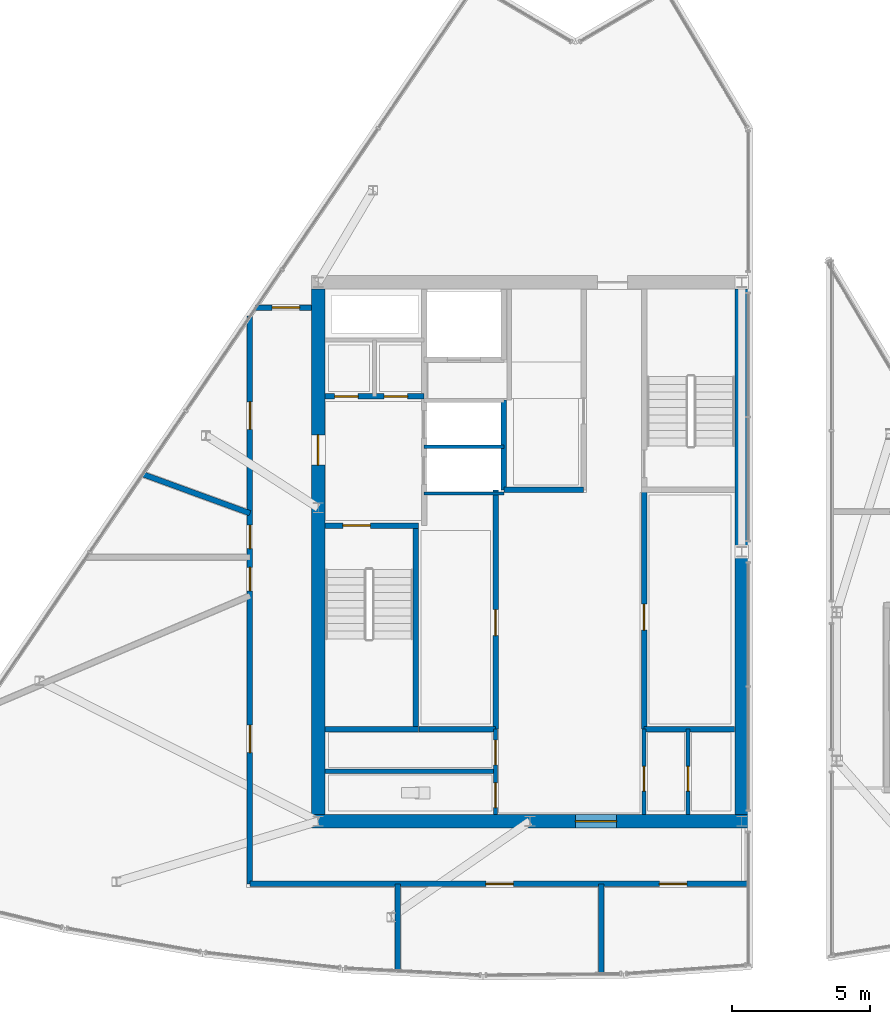
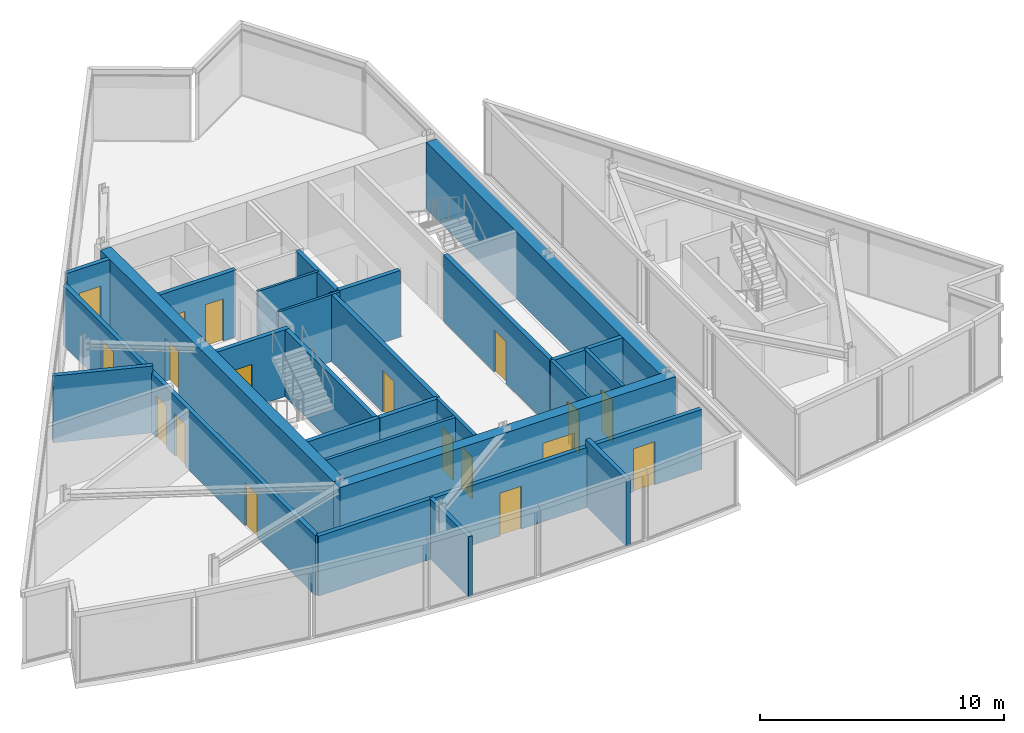
# One storey, part 9 of 15: 25 walls, 18 doors, 18 openings.
"""IFC4 building model written with IfcOpenShell, lengths in metres."""

from ifc_helpers import new_model, si_unit, direction, frame, frame_2d, origin, place, context, subcontext, project, spatial, rectangle, extrude, material, layer, layer_set, type_object, element, fill, save


model = new_model("IFC4")

# Units and contexts
model_context = context("Model", 3, precision=1e-05, world=origin(), true_north=direction((0.0, 1.0)))
body_context = subcontext(model_context, "Body", "Model", "MODEL_VIEW")
ifc_project = project(units=[si_unit("LENGTHUNIT", "METRE"), si_unit("AREAUNIT", "SQUARE_METRE"), si_unit("VOLUMEUNIT", "CUBIC_METRE"), si_unit("PLANEANGLEUNIT", "RADIAN"), si_unit("MASSUNIT", "GRAM", prefix="KILO")], contexts=[model_context])

# Site, building, storey
site_placement = place(None, origin())
site = spatial("IfcSite", under=ifc_project, at=site_placement, CompositionType="ELEMENT")
building_placement = place(site_placement, origin())
building = spatial("IfcBuilding", under=site, at=building_placement, Name="Savorim Split Tower", CompositionType="ELEMENT")
storey_placement = place(building_placement, frame((0.0, 0.0, 304.800048828125)))
storey = spatial("IfcBuildingStorey", under=building, at=storey_placement, Name="Crown L81 Plant", CompositionType="ELEMENT", Elevation=304.800048828125)

# Wall, opening, door
ifc_material_1 = material(Name="Concrete C60/75", Category="concrete")
ifc_layer_1 = layer(ifc_material_1, 0.5)
ifc_layer_set_1 = layer_set([ifc_layer_1], Name="WAL-COR-SH500")
wall_type_1 = type_object("IfcWallType", Name="WAL-COR-SH500", PredefinedType="SHEAR", material=ifc_layer_set_1)
wall_1_placement = place(storey_placement, frame((-7.949951171875, -9.39990234375, 0.0), z_axis=(0.0, 0.0, 1.0), x_axis=(1.0, 0.0, 0.0)))
wall_1 = element("IfcWall", 1, at=wall_1_placement, inside=storey, type_object=wall_type_1, Name="Crown L81 Plant Offset Core South Shear Wall", PredefinedType="SHEAR", context=body_context, shape_type="SweptSolid", body=[
    extrude(rectangle(XDim=15.89990234375, YDim=0.5, at=frame_2d((7.949951171875, 0.0))), origin(), (0.0, 0.0, 1.0), 3.33984375),
])
opening_1_placement = place(wall_1_placement, frame((9.60009765625, 0.0, 0.0)))
opening_1 = element("IfcOpeningElement", 2, at=opening_1_placement, cuts=wall_1, Name="Opening DI-02", PredefinedType="OPENING", context=body_context, shape_type="SweptSolid", body=[
    extrude(rectangle(XDim=1.5, YDim=2.199951171875, at=frame_2d((0.75, 1.10009765625))), frame((0.0, 0.260009765625, 0.0), z_axis=(0.0, -1.0, 0.0), x_axis=(1.0, 0.0, 0.0)), (0.0, 0.0, 1.0), 0.52001953125),
])
ifc_material_2 = material(Name="Timber Fire Door Leaf", Category="wood")
door_type_1 = type_object("IfcDoorType", Name="DOR-DBL-1500", OperationType="NOTDEFINED", PredefinedType="DOOR", material=ifc_material_2)
door_1_placement = place(opening_1_placement, origin())
door_1 = element("IfcDoor", 3, at=door_1_placement, inside=storey, type_object=door_type_1, Name="DOR-Crown-L81-Plant-COR-LLOB - Crown L81 Plant Lift Lobby Main Rated Door", OperationType="DOUBLE_DOOR_SINGLE_SWING", OverallHeight=2.199951171875, OverallWidth=1.5, PredefinedType="DOOR", context=body_context, shape_type="SweptSolid", body=[
    extrude(rectangle(XDim=1.5, YDim=2.199951171875, at=frame_2d((0.75, 1.10009765625))), frame((0.0, 0.02490234375, 0.0), z_axis=(0.0, -1.0, 0.0), x_axis=(1.0, 0.0, 0.0)), (0.0, 0.0, 1.0), 0.050048828125),
])
fill(opening_1, door_1)

wall_2_placement = place(storey_placement, frame((-7.699951171875, -9.14990234375, 0.0), z_axis=(0.0, 0.0, 1.0), x_axis=(0.0, 1.0, 0.0)))
wall_2 = element("IfcWall", 4, at=wall_2_placement, inside=storey, type_object=wall_type_1, Name="Crown L81 Plant Offset Core West Shear Wall", PredefinedType="SHEAR", context=body_context, shape_type="SweptSolid", body=[
    extrude(rectangle(XDim=19.099853515625, YDim=0.5, at=frame_2d((9.5498046875, 0.0))), origin(), (0.0, 0.0, 1.0), 3.33984375),
])
opening_2_placement = place(wall_2_placement, frame((12.699951171875, 0.0, 0.0)))
opening_2 = element("IfcOpeningElement", 5, at=opening_2_placement, cuts=wall_2, Name="Opening DI-03", PredefinedType="OPENING", context=body_context, shape_type="SweptSolid", body=[
    extrude(rectangle(XDim=1.10009765625, YDim=2.14990234375, at=frame_2d((0.550048828125, 1.074951171875))), frame((0.0, 0.260009765625, 0.0), z_axis=(0.0, -1.0, 0.0), x_axis=(1.0, 0.0, 0.0)), (0.0, 0.0, 1.0), 0.52001953125),
])
door_type_2 = type_object("IfcDoorType", Name="DOR-FIR-1100", OperationType="NOTDEFINED", PredefinedType="DOOR", material=ifc_material_2)
door_2_placement = place(opening_2_placement, origin())
door_2 = element("IfcDoor", 6, at=door_2_placement, inside=storey, type_object=door_type_2, Name="DOR-Crown-L81-Plant-COR-FFLOB - Crown L81 Plant Firefighting Lobby Corridor Door", OperationType="SINGLE_SWING_LEFT", OverallHeight=2.14990234375, OverallWidth=1.10009765625, PredefinedType="DOOR", context=body_context, shape_type="SweptSolid", body=[
    extrude(rectangle(XDim=1.10009765625, YDim=2.14990234375, at=frame_2d((0.550048828125, 1.074951171875))), frame((0.0, 0.02490234375, 0.0), z_axis=(0.0, -1.0, 0.0), x_axis=(1.0, 0.0, 0.0)), (0.0, 0.0, 1.0), 0.050048828125),
])
fill(opening_2, door_2)

# Wall
wall_3_placement = place(storey_placement, frame((7.699951171875, 9.949951171875, 0.0), z_axis=(0.0, 0.0, 1.0), x_axis=(0.0, -1.0, 0.0)))
element("IfcWall", 7, at=wall_3_placement, inside=storey, type_object=wall_type_1, Name="Crown L81 Plant Offset Core East Shear Wall", PredefinedType="SHEAR", context=body_context, shape_type="SweptSolid", body=[
    extrude(rectangle(XDim=19.099853515625, YDim=0.5, at=frame_2d((9.5498046875, 0.0))), origin(), (0.0, 0.0, 1.0), 3.33984375),
])

# Wall, opening, door
ifc_material_3 = material(Name="Concrete C50/60", Category="concrete")
ifc_layer_2 = layer(ifc_material_3, 0.199951171875)
ifc_layer_set_2 = layer_set([ifc_layer_2], Name="WAL-INT-RC200")
wall_type_2 = type_object("IfcWallType", Name="WAL-INT-RC200", PredefinedType="SOLIDWALL", material=ifc_layer_set_2)
wall_4_placement = place(storey_placement, frame((-7.449951171875, 1.35009765625, 0.0), z_axis=(0.0, 0.0, 1.0), x_axis=(1.0, 0.0, 0.0)))
wall_4 = element("IfcWall", 8, at=wall_4_placement, inside=storey, type_object=wall_type_2, Name="Crown L81 Plant Structural Shaft Wall W-Crown-L81-Plant-CR01", PredefinedType="SOLIDWALL", context=body_context, shape_type="SweptSolid", body=[
    extrude(rectangle(XDim=3.39990234375, YDim=0.199951171875, at=frame_2d((1.699951171875, 0.0))), origin(), (0.0, 0.0, 1.0), 3.33984375),
])
opening_3_placement = place(wall_4_placement, frame((0.64990234375, 0.0, 0.0)))
opening_3 = element("IfcOpeningElement", 9, at=opening_3_placement, cuts=wall_4, Name="Opening DI-04", PredefinedType="OPENING", context=body_context, shape_type="SweptSolid", body=[
    extrude(rectangle(XDim=1.0, YDim=2.14990234375, at=frame_2d((0.5, 1.074951171875))), frame((0.0, 0.10986328125, 0.0), z_axis=(0.0, -1.0, 0.0), x_axis=(1.0, 0.0, 0.0)), (0.0, 0.0, 1.0), 0.219970703125),
])
door_type_3 = type_object("IfcDoorType", Name="DOR-FIR-1000", OperationType="NOTDEFINED", PredefinedType="DOOR", material=ifc_material_2)
door_3_placement = place(opening_3_placement, origin())
door_3 = element("IfcDoor", 10, at=door_3_placement, inside=storey, type_object=door_type_3, Name="DR-Crown-L81-Plant-ST1 - Crown L81 Plant Stair ST-1 Enclosure Door", OperationType="SINGLE_SWING_LEFT", OverallHeight=2.14990234375, OverallWidth=1.0, PredefinedType="DOOR", context=body_context, shape_type="SweptSolid", body=[
    extrude(rectangle(XDim=1.0, YDim=2.14990234375, at=frame_2d((0.5, 1.074951171875))), frame((0.0, 0.02490234375, 0.0), z_axis=(0.0, -1.0, 0.0), x_axis=(1.0, 0.0, 0.0)), (0.0, 0.0, 1.0), 0.050048828125),
])
fill(opening_3, door_3)

# Wall
wall_5_placement = place(storey_placement, frame((-4.14990234375, -5.949951171875, 0.0), z_axis=(0.0, 0.0, 1.0), x_axis=(0.0, 1.0, 0.0)))
element("IfcWall", 11, at=wall_5_placement, inside=storey, type_object=wall_type_2, Name="Crown L81 Plant Structural Shaft Wall W-Crown-L81-Plant-CR02", PredefinedType="SOLIDWALL", context=body_context, shape_type="SweptSolid", body=[
    extrude(rectangle(XDim=7.199951171875, YDim=0.199951171875, at=frame_2d((3.60009765625, 0.0))), origin(), (0.0, 0.0, 1.0), 3.33984375),
])

# Wall, openings, doors
wall_6_placement = place(storey_placement, frame((-7.445068359375, 6.050048828125, 0.0), z_axis=(0.0, 0.0, 1.0), x_axis=(1.0, 0.0, 0.0)))
wall_6 = element("IfcWall", 12, at=wall_6_placement, inside=storey, type_object=wall_type_2, Name="Crown L81 Plant Partition W-Crown-L81-Plant-CR04", PredefinedType="SOLIDWALL", context=body_context, shape_type="SweptSolid", body=[
    extrude(rectangle(XDim=3.594970703125, YDim=0.199951171875, at=frame_2d((1.79736328125, 0.0))), origin(), (0.0, 0.0, 1.0), 3.33984375),
])
opening_4_placement = place(wall_6_placement, frame((0.344970703125, 0.0, 0.0)))
opening_4 = element("IfcOpeningElement", 13, at=opening_4_placement, cuts=wall_6, Name="Opening DI-12", PredefinedType="OPENING", context=body_context, shape_type="SweptSolid", body=[
    extrude(rectangle(XDim=0.85009765625, YDim=2.10009765625, at=frame_2d((0.425048828125, 1.050048828125))), frame((0.0, 0.10986328125, 0.0), z_axis=(0.0, -1.0, 0.0), x_axis=(1.0, 0.0, 0.0)), (0.0, 0.0, 1.0), 0.219970703125),
])
opening_5_placement = place(wall_6_placement, frame((2.14501953125, 0.0, 0.0)))
opening_5 = element("IfcOpeningElement", 14, at=opening_5_placement, cuts=wall_6, Name="Opening DI-12", PredefinedType="OPENING", context=body_context, shape_type="SweptSolid", body=[
    extrude(rectangle(XDim=0.85009765625, YDim=2.10009765625, at=frame_2d((0.425048828125, 1.050048828125))), frame((0.0, 0.10986328125, 0.0), z_axis=(0.0, -1.0, 0.0), x_axis=(1.0, 0.0, 0.0)), (0.0, 0.0, 1.0), 0.219970703125),
])
ifc_material_4 = material(Name="Galvanised Painted Steel Balustrade", Category="steel")
door_type_4 = type_object("IfcDoorType", Name="DOR-RIS-850", OperationType="NOTDEFINED", PredefinedType="DOOR", material=ifc_material_4)
door_4_placement = place(opening_4_placement, origin())
door_4 = element("IfcDoor", 15, at=door_4_placement, inside=storey, type_object=door_type_4, Name="DR-Crown-L81-Plant-ELR - Crown L81 Plant Electrical Riser Access Door", OperationType="SINGLE_SWING_RIGHT", OverallHeight=2.10009765625, OverallWidth=0.85009765625, PredefinedType="DOOR", context=body_context, shape_type="SweptSolid", body=[
    extrude(rectangle(XDim=0.85009765625, YDim=2.10009765625, at=frame_2d((0.425048828125, 1.050048828125))), frame((0.0, 0.02490234375, 0.0), z_axis=(0.0, -1.0, 0.0), x_axis=(1.0, 0.0, 0.0)), (0.0, 0.0, 1.0), 0.050048828125),
])
fill(opening_4, door_4)
door_5_placement = place(opening_5_placement, origin())
door_5 = element("IfcDoor", 16, at=door_5_placement, inside=storey, type_object=door_type_4, Name="DR-Crown-L81-Plant-TLR - Crown L81 Plant Telecom Riser Access Door", OperationType="SINGLE_SWING_LEFT", OverallHeight=2.10009765625, OverallWidth=0.85009765625, PredefinedType="DOOR", context=body_context, shape_type="SweptSolid", body=[
    extrude(rectangle(XDim=0.85009765625, YDim=2.10009765625, at=frame_2d((0.425048828125, 1.050048828125))), frame((0.0, 0.02490234375, 0.0), z_axis=(0.0, -1.0, 0.0), x_axis=(1.0, 0.0, 0.0)), (0.0, 0.0, 1.0), 0.050048828125),
])
fill(opening_5, door_5)

# Wall
wall_7_placement = place(storey_placement, frame((-0.949951171875, 2.64990234375, 0.0), z_axis=(0.0, 0.0, 1.0), x_axis=(0.0, 1.0, 0.0)))
element("IfcWall", 17, at=wall_7_placement, inside=storey, type_object=wall_type_2, Name="Crown L81 Plant Partition W-Crown-L81-Plant-FFLW", PredefinedType="SOLIDWALL", context=body_context, shape_type="SweptSolid", body=[
    extrude(rectangle(XDim=3.27001953125, YDim=0.199951171875, at=frame_2d((1.635009765625, 0.0))), origin(), (0.0, 0.0, 1.0), 3.33984375),
])

# Wall, opening, door
wall_8_placement = place(storey_placement, frame((4.14990234375, -6.050048828125, 0.0), z_axis=(0.0, 0.0, 1.0), x_axis=(0.0, 1.0, 0.0)))
wall_8 = element("IfcWall", 18, at=wall_8_placement, inside=storey, type_object=wall_type_2, Name="Crown L81 Plant Partition W-Crown-L81-Plant-B1FRONT", PredefinedType="SOLIDWALL", context=body_context, shape_type="SweptSolid", body=[
    extrude(rectangle(XDim=8.699951171875, YDim=0.199951171875, at=frame_2d((4.35009765625, 0.0))), origin(), (0.0, 0.0, 1.0), 3.33984375),
])
opening_6_placement = place(wall_8_placement, frame((3.60009765625, 0.0, 0.0)))
opening_6 = element("IfcOpeningElement", 19, at=opening_6_placement, cuts=wall_8, Name="Opening DI-05", PredefinedType="OPENING", context=body_context, shape_type="SweptSolid", body=[
    extrude(rectangle(XDim=0.949951171875, YDim=2.10009765625, at=frame_2d((0.47509765625, 1.050048828125))), frame((0.0, 0.10986328125, 0.0), z_axis=(0.0, -1.0, 0.0), x_axis=(1.0, 0.0, 0.0)), (0.0, 0.0, 1.0), 0.219970703125),
])
door_type_5 = type_object("IfcDoorType", Name="DOR-FIR-950", OperationType="NOTDEFINED", PredefinedType="DOOR", material=ifc_material_2)
door_6_placement = place(opening_6_placement, origin())
door_6 = element("IfcDoor", 20, at=door_6_placement, inside=storey, type_object=door_type_5, Name="DR-Crown-L81-Plant-B1SUB - Crown L81 Plant Core Store East Door", OperationType="SINGLE_SWING_RIGHT", OverallHeight=2.10009765625, OverallWidth=0.949951171875, PredefinedType="DOOR", context=body_context, shape_type="SweptSolid", body=[
    extrude(rectangle(XDim=0.949951171875, YDim=2.10009765625, at=frame_2d((0.47509765625, 1.050048828125))), frame((0.0, 0.02490234375, 0.0), z_axis=(0.0, -1.0, 0.0), x_axis=(1.0, 0.0, 0.0)), (0.0, 0.0, 1.0), 0.050048828125),
])
fill(opening_6, door_6)

wall_9_placement = place(storey_placement, frame((-1.25, -6.050048828125, 0.0), z_axis=(0.0, 0.0, 1.0), x_axis=(0.0, 1.0, 0.0)))
wall_9 = element("IfcWall", 21, at=wall_9_placement, inside=storey, type_object=wall_type_2, Name="Crown L81 Plant Partition W-Crown-L81-Plant-B2FRONT", PredefinedType="SOLIDWALL", context=body_context, shape_type="SweptSolid", body=[
    extrude(rectangle(XDim=8.699951171875, YDim=0.199951171875, at=frame_2d((4.35009765625, 0.0))), origin(), (0.0, 0.0, 1.0), 3.33984375),
])
opening_7_placement = place(wall_9_placement, frame((3.39990234375, 0.0, 0.0)))
opening_7 = element("IfcOpeningElement", 22, at=opening_7_placement, cuts=wall_9, Name="Opening DI-05", PredefinedType="OPENING", context=body_context, shape_type="SweptSolid", body=[
    extrude(rectangle(XDim=0.949951171875, YDim=2.10009765625, at=frame_2d((0.47509765625, 1.050048828125))), frame((0.0, 0.10986328125, 0.0), z_axis=(0.0, -1.0, 0.0), x_axis=(1.0, 0.0, 0.0)), (0.0, 0.0, 1.0), 0.219970703125),
])
door_7_placement = place(opening_7_placement, origin())
door_7 = element("IfcDoor", 23, at=door_7_placement, inside=storey, type_object=door_type_5, Name="DR-Crown-L81-Plant-B2SUB - Crown L81 Plant Core Store West Door", OperationType="SINGLE_SWING_LEFT", OverallHeight=2.10009765625, OverallWidth=0.949951171875, PredefinedType="DOOR", context=body_context, shape_type="SweptSolid", body=[
    extrude(rectangle(XDim=0.949951171875, YDim=2.10009765625, at=frame_2d((0.47509765625, 1.050048828125))), frame((0.0, 0.02490234375, 0.0), z_axis=(0.0, -1.0, 0.0), x_axis=(1.0, 0.0, 0.0)), (0.0, 0.0, 1.0), 0.050048828125),
])
fill(opening_7, door_7)

# Walls
wall_10_placement = place(storey_placement, frame((-0.949951171875, 2.64990234375, 0.0), z_axis=(0.0, 0.0, 1.0), x_axis=(1.0, 0.0, 0.0)))
element("IfcWall", 24, at=wall_10_placement, inside=storey, type_object=wall_type_2, Name="Crown L81 Plant Partition W-Crown-L81-Plant-B3SOUTH", PredefinedType="SOLIDWALL", context=body_context, shape_type="SweptSolid", body=[
    extrude(rectangle(XDim=2.89990234375, YDim=0.199951171875, at=frame_2d((1.449951171875, 0.0))), origin(), (0.0, 0.0, 1.0), 3.33984375),
])
wall_11_placement = place(storey_placement, frame((-7.449951171875, -6.050048828125, 0.0), z_axis=(0.0, 0.0, 1.0), x_axis=(1.0, 0.0, 0.0)))
element("IfcWall", 25, at=wall_11_placement, inside=storey, type_object=wall_type_2, Name="Crown L81 Plant Structural Shaft Wall W-Crown-L81-Plant-KSEP-W", PredefinedType="SOLIDWALL", context=body_context, shape_type="SweptSolid", body=[
    extrude(rectangle(XDim=3.39990234375, YDim=0.199951171875, at=frame_2d((1.699951171875, 0.0))), origin(), (0.0, 0.0, 1.0), 3.33984375),
])
wall_12_placement = place(storey_placement, frame((-4.0400390625, -6.050048828125, 0.0), z_axis=(0.0, 0.0, 1.0), x_axis=(1.0, 0.0, 0.0)))
element("IfcWall", 26, at=wall_12_placement, inside=storey, type_object=wall_type_2, Name="Crown L81 Plant Partition W-Crown-L81-Plant-KSEP-W2", PredefinedType="SOLIDWALL", context=body_context, shape_type="SweptSolid", body=[
    extrude(rectangle(XDim=2.7900390625, YDim=0.199951171875, at=frame_2d((1.39501953125, 0.0))), origin(), (0.0, 0.0, 1.0), 3.33984375),
])
wall_13_placement = place(storey_placement, frame((4.14990234375, -6.050048828125, 0.0), z_axis=(0.0, 0.0, 1.0), x_axis=(1.0, 0.0, 0.0)))
element("IfcWall", 27, at=wall_13_placement, inside=storey, type_object=wall_type_2, Name="Crown L81 Plant Partition W-Crown-L81-Plant-KSEP-E", PredefinedType="SOLIDWALL", context=body_context, shape_type="SweptSolid", body=[
    extrude(rectangle(XDim=3.295166015625, YDim=0.199951171875, at=frame_2d((1.6474609375, 0.0))), origin(), (0.0, 0.0, 1.0), 3.33984375),
])

# Wall, openings, doors
wall_14_placement = place(storey_placement, frame((-10.179931640625, -11.679931640625, 0.0), z_axis=(0.0, 0.0, 1.0), x_axis=(0.0, 1.0, 0.0)))
wall_14 = element("IfcWall", 28, at=wall_14_placement, inside=storey, type_object=wall_type_2, Name="Crown L81 Plant Partition W-Crown-L81-Plant-CWPC1", PredefinedType="SOLIDWALL", context=body_context, shape_type="SweptSolid", body=[
    extrude(rectangle(XDim=20.656982421875, YDim=0.199951171875, at=frame_2d((10.32861328125, 0.0))), origin(), (0.0, 0.0, 1.0), 2.994873046875),
])
opening_8_placement = place(wall_14_placement, frame((10.65966796875, 0.0, 0.0)))
opening_8 = element("IfcOpeningElement", 29, at=opening_8_placement, cuts=wall_14, Name="Opening DI-12", PredefinedType="OPENING", context=body_context, shape_type="SweptSolid", body=[
    extrude(rectangle(XDim=0.85009765625, YDim=2.10009765625, at=frame_2d((0.425048828125, 1.050048828125))), frame((0.0, 0.10986328125, 0.0), z_axis=(0.0, -1.0, 0.0), x_axis=(1.0, 0.0, 0.0)), (0.0, 0.0, 1.0), 0.219970703125),
])
opening_9_placement = place(wall_14_placement, frame((4.775634765625, 0.0, 0.0)))
opening_9 = element("IfcOpeningElement", 30, at=opening_9_placement, cuts=wall_14, Name="Opening DI-04", PredefinedType="OPENING", context=body_context, shape_type="SweptSolid", body=[
    extrude(rectangle(XDim=1.0, YDim=2.14990234375, at=frame_2d((0.5, 1.074951171875))), frame((0.0, 0.10986328125, 0.0), z_axis=(0.0, -1.0, 0.0), x_axis=(1.0, 0.0, 0.0)), (0.0, 0.0, 1.0), 0.219970703125),
])
opening_10_placement = place(wall_14_placement, frame((16.52783203125, 0.0, 0.0)))
opening_10 = element("IfcOpeningElement", 31, at=opening_10_placement, cuts=wall_14, Name="Opening DI-04", PredefinedType="OPENING", context=body_context, shape_type="SweptSolid", body=[
    extrude(rectangle(XDim=1.0, YDim=2.14990234375, at=frame_2d((0.5, 1.074951171875))), frame((0.0, 0.10986328125, 0.0), z_axis=(0.0, -1.0, 0.0), x_axis=(1.0, 0.0, 0.0)), (0.0, 0.0, 1.0), 0.219970703125),
])
opening_11_placement = place(wall_14_placement, frame((12.1982421875, 0.0, 0.0)))
opening_11 = element("IfcOpeningElement", 32, at=opening_11_placement, cuts=wall_14, Name="Opening DI-12", PredefinedType="OPENING", context=body_context, shape_type="SweptSolid", body=[
    extrude(rectangle(XDim=0.85009765625, YDim=2.10009765625, at=frame_2d((0.425048828125, 1.050048828125))), frame((0.0, 0.10986328125, 0.0), z_axis=(0.0, -1.0, 0.0), x_axis=(1.0, 0.0, 0.0)), (0.0, 0.0, 1.0), 0.219970703125),
])
door_8_placement = place(opening_9_placement, origin())
door_8 = element("IfcDoor", 33, at=door_8_placement, inside=storey, type_object=door_type_3, Name="DR-Crown-L81-Plant-RM02 - Crown L81 Plant Chiller Plant Room Entry Door", OperationType="SINGLE_SWING_LEFT", OverallHeight=2.14990234375, OverallWidth=1.0, PredefinedType="DOOR", context=body_context, shape_type="SweptSolid", body=[
    extrude(rectangle(XDim=1.0, YDim=2.14990234375, at=frame_2d((0.5, 1.074951171875))), frame((0.0, 0.02490234375, 0.0), z_axis=(0.0, -1.0, 0.0), x_axis=(1.0, 0.0, 0.0)), (0.0, 0.0, 1.0), 0.050048828125),
])
fill(opening_9, door_8)
door_9_placement = place(opening_10_placement, origin())
door_9 = element("IfcDoor", 34, at=door_9_placement, inside=storey, type_object=door_type_3, Name="DR-Crown-L81-Plant-RM06 - Crown L81 Plant HV Switchgear Plant Room Entry Door", OperationType="SINGLE_SWING_LEFT", OverallHeight=2.14990234375, OverallWidth=1.0, PredefinedType="DOOR", context=body_context, shape_type="SweptSolid", body=[
    extrude(rectangle(XDim=1.0, YDim=2.14990234375, at=frame_2d((0.5, 1.074951171875))), frame((0.0, 0.02490234375, 0.0), z_axis=(0.0, -1.0, 0.0), x_axis=(1.0, 0.0, 0.0)), (0.0, 0.0, 1.0), 0.050048828125),
])
fill(opening_10, door_9)
door_10_placement = place(opening_8_placement, origin())
door_10 = element("IfcDoor", 35, at=door_10_placement, inside=storey, type_object=door_type_4, Name="DR-Crown-L81-Plant-RM01 - Crown L81 Plant AHU Mechanical Plant Room Entry Door", OperationType="SINGLE_SWING_RIGHT", OverallHeight=2.10009765625, OverallWidth=0.85009765625, PredefinedType="DOOR", context=body_context, shape_type="SweptSolid", body=[
    extrude(rectangle(XDim=0.85009765625, YDim=2.10009765625, at=frame_2d((0.425048828125, 1.050048828125))), frame((0.0, 0.02490234375, 0.0), z_axis=(0.0, -1.0, 0.0), x_axis=(1.0, 0.0, 0.0)), (0.0, 0.0, 1.0), 0.050048828125),
])
fill(opening_8, door_10)
door_11_placement = place(opening_11_placement, origin())
door_11 = element("IfcDoor", 36, at=door_11_placement, inside=storey, type_object=door_type_4, Name="DR-Crown-L81-Plant-RM07 - Crown L81 Plant AHU Mechanical Plant Room Entry Door", OperationType="SINGLE_SWING_RIGHT", OverallHeight=2.10009765625, OverallWidth=0.85009765625, PredefinedType="DOOR", context=body_context, shape_type="SweptSolid", body=[
    extrude(rectangle(XDim=0.85009765625, YDim=2.10009765625, at=frame_2d((0.425048828125, 1.050048828125))), frame((0.0, 0.02490234375, 0.0), z_axis=(0.0, -1.0, 0.0), x_axis=(1.0, 0.0, 0.0)), (0.0, 0.0, 1.0), 0.050048828125),
])
fill(opening_11, door_11)

wall_15_placement = place(storey_placement, frame((-10.179931640625, -11.679931640625, 0.0), z_axis=(0.0, 0.0, 1.0), x_axis=(1.0, 0.0, 0.0)))
wall_15 = element("IfcWall", 37, at=wall_15_placement, inside=storey, type_object=wall_type_2, Name="Crown L81 Plant Partition W-Crown-L81-Plant-CWPC2", PredefinedType="SOLIDWALL", context=body_context, shape_type="SweptSolid", body=[
    extrude(rectangle(XDim=18.1298828125, YDim=0.199951171875, at=frame_2d((9.06494140625, 0.0))), origin(), (0.0, 0.0, 1.0), 2.994873046875),
])
opening_12_placement = place(wall_15_placement, frame((8.580078125, 0.0, 0.0)))
opening_12 = element("IfcOpeningElement", 38, at=opening_12_placement, cuts=wall_15, Name="Opening DI-04", PredefinedType="OPENING", context=body_context, shape_type="SweptSolid", body=[
    extrude(rectangle(XDim=1.0, YDim=2.14990234375, at=frame_2d((0.5, 1.074951171875))), frame((0.0, 0.10986328125, 0.0), z_axis=(0.0, -1.0, 0.0), x_axis=(1.0, 0.0, 0.0)), (0.0, 0.0, 1.0), 0.219970703125),
])
opening_13_placement = place(wall_15_placement, frame((14.888671875, 0.0, 0.0)))
opening_13 = element("IfcOpeningElement", 39, at=opening_13_placement, cuts=wall_15, Name="Opening DI-04", PredefinedType="OPENING", context=body_context, shape_type="SweptSolid", body=[
    extrude(rectangle(XDim=1.0, YDim=2.14990234375, at=frame_2d((0.5, 1.074951171875))), frame((0.0, 0.10986328125, 0.0), z_axis=(0.0, -1.0, 0.0), x_axis=(1.0, 0.0, 0.0)), (0.0, 0.0, 1.0), 0.219970703125),
])
door_12_placement = place(opening_12_placement, origin())
door_12 = element("IfcDoor", 40, at=door_12_placement, inside=storey, type_object=door_type_3, Name="DR-Crown-L81-Plant-RM03 - Crown L81 Plant Booster Pump Plant Room Entry Door", OperationType="SINGLE_SWING_RIGHT", OverallHeight=2.14990234375, OverallWidth=1.0, PredefinedType="DOOR", context=body_context, shape_type="SweptSolid", body=[
    extrude(rectangle(XDim=1.0, YDim=2.14990234375, at=frame_2d((0.5, 1.074951171875))), frame((0.0, 0.02490234375, 0.0), z_axis=(0.0, -1.0, 0.0), x_axis=(1.0, 0.0, 0.0)), (0.0, 0.0, 1.0), 0.050048828125),
])
fill(opening_12, door_12)
door_13_placement = place(opening_13_placement, origin())
door_13 = element("IfcDoor", 41, at=door_13_placement, inside=storey, type_object=door_type_3, Name="DR-Crown-L81-Plant-RM04 - Crown L81 Plant Smoke Extract Fan Plant Room Entry Door", OperationType="SINGLE_SWING_LEFT", OverallHeight=2.14990234375, OverallWidth=1.0, PredefinedType="DOOR", context=body_context, shape_type="SweptSolid", body=[
    extrude(rectangle(XDim=1.0, YDim=2.14990234375, at=frame_2d((0.5, 1.074951171875))), frame((0.0, 0.02490234375, 0.0), z_axis=(0.0, -1.0, 0.0), x_axis=(1.0, 0.0, 0.0)), (0.0, 0.0, 1.0), 0.050048828125),
])
fill(opening_13, door_13)

# Wall, opening, door
wall_16_placement = place(storey_placement, frame((-9.973876953125, 9.280029296875, 0.0), z_axis=(0.0, 0.0, 1.0), x_axis=(1.0, 0.0, 0.0)))
wall_16 = element("IfcWall", 42, at=wall_16_placement, inside=storey, type_object=wall_type_2, Name="Crown L81 Plant Partition W-Crown-L81-Plant-CWPC3", PredefinedType="SOLIDWALL", context=body_context, shape_type="SweptSolid", body=[
    extrude(rectangle(XDim=2.02392578125, YDim=0.199951171875, at=frame_2d((1.011962890625, 0.0))), origin(), (0.0, 0.0, 1.0), 3.33984375),
])
opening_14_placement = place(wall_16_placement, frame((0.596923828125, 0.0, 0.0)))
opening_14 = element("IfcOpeningElement", 43, at=opening_14_placement, cuts=wall_16, Name="Opening DI-04", PredefinedType="OPENING", context=body_context, shape_type="SweptSolid", body=[
    extrude(rectangle(XDim=1.0, YDim=2.14990234375, at=frame_2d((0.5, 1.074951171875))), frame((0.0, 0.10986328125, 0.0), z_axis=(0.0, -1.0, 0.0), x_axis=(1.0, 0.0, 0.0)), (0.0, 0.0, 1.0), 0.219970703125),
])
door_14_placement = place(opening_14_placement, origin())
door_14 = element("IfcDoor", 44, at=door_14_placement, inside=storey, type_object=door_type_3, Name="DR-Crown-L81-Plant-RM05 - Crown L81 Plant Heat Recovery Plant Room Entry Door", OperationType="SINGLE_SWING_RIGHT", OverallHeight=2.14990234375, OverallWidth=1.0, PredefinedType="DOOR", context=body_context, shape_type="SweptSolid", body=[
    extrude(rectangle(XDim=1.0, YDim=2.14990234375, at=frame_2d((0.5, 1.074951171875))), frame((0.0, 0.02490234375, 0.0), z_axis=(0.0, -1.0, 0.0), x_axis=(1.0, 0.0, 0.0)), (0.0, 0.0, 1.0), 0.050048828125),
])
fill(opening_14, door_14)

# Walls
wall_17_placement = place(storey_placement, frame((-14.092529296875, 3.2255859375, 0.0), z_axis=(0.0, 0.0, 1.0), x_axis=(0.939579266893, -0.342331420154, 0.0)))
element("IfcWall", 45, at=wall_17_placement, inside=storey, type_object=wall_type_2, Name="Crown L81 Plant Partition W-Crown-L81-Plant-CDIV2", PredefinedType="SOLIDWALL", context=body_context, shape_type="SweptSolid", body=[
    extrude(rectangle(XDim=4.164306640625, YDim=0.199951171875, at=frame_2d((2.08203125, 0.0))), origin(), (0.0, 0.0, 1.0), 3.33984375),
])
wall_18_placement = place(storey_placement, frame((-4.800048828125, -14.8876953125, 0.0), z_axis=(0.0, 0.0, 1.0), x_axis=(0.0, 1.0, 0.0)))
element("IfcWall", 46, at=wall_18_placement, inside=storey, type_object=wall_type_2, Name="Crown L81 Plant Partition W-Crown-L81-Plant-CDIVS1", PredefinedType="SOLIDWALL", context=body_context, shape_type="SweptSolid", body=[
    extrude(rectangle(XDim=3.207763671875, YDim=0.199951171875, at=frame_2d((1.60400390625, 0.0))), origin(), (0.0, 0.0, 1.0), 2.994873046875),
])
wall_19_placement = place(storey_placement, frame((2.60009765625, -14.98388671875, 0.0), z_axis=(0.0, 0.0, 1.0), x_axis=(0.0, 1.0, 0.0)))
element("IfcWall", 47, at=wall_19_placement, inside=storey, type_object=wall_type_2, Name="Crown L81 Plant Partition W-Crown-L81-Plant-CDIVS2", PredefinedType="SOLIDWALL", context=body_context, shape_type="SweptSolid", body=[
    extrude(rectangle(XDim=3.303955078125, YDim=0.199951171875, at=frame_2d((1.65185546875, 0.0))), origin(), (0.0, 0.0, 1.0), 3.33984375),
])
ifc_material_5 = material(Name="Acoustic Gypsum Partition Board")
ifc_layer_3 = layer(ifc_material_5, 0.1201171875)
ifc_layer_set_3 = layer_set([ifc_layer_3], Name="WAL-PAR-120")
wall_type_3 = type_object("IfcWallType", Name="WAL-PAR-120", PredefinedType="PARTITIONING", material=ifc_layer_set_3)
for number, where, z_axis, x_axis, name in (
    (48, (-3.85009765625, 2.52001953125, 0.0), (0.0, 0.0, 1.0), (1.0, 0.0, 0.0), "Crown L81 Plant Partition W-Crown-L81-Plant-FFLD0"),
    (49, (-3.85009765625, 4.219970703125, 0.0), (0.0, 0.0, 1.0), (1.0, 0.0, 0.0), "Crown L81 Plant Partition W-Crown-L81-Plant-FFLD1"),
):
    element("IfcWall", number, at=place(storey_placement, frame(where, z_axis=z_axis, x_axis=x_axis)), inside=storey, type_object=wall_type_3, Name=name, PredefinedType="PARTITIONING", context=body_context, shape_type="SweptSolid", body=[
        extrude(rectangle(XDim=2.900146484375, YDim=0.1201171875, at=frame_2d((1.4501953125, 0.0))), origin(), (0.0, 0.0, 1.0), 3.33984375),
    ])

# Wall, openings, doors
ifc_layer_4 = layer(ifc_material_5, 0.14990234375)
ifc_layer_set_4 = layer_set([ifc_layer_4], Name="WAL-PAR-150")
wall_type_4 = type_object("IfcWallType", Name="WAL-PAR-150", PredefinedType="PARTITIONING", material=ifc_layer_set_4)
wall_20_placement = place(storey_placement, frame((-1.25, -9.14501953125, 0.0), z_axis=(0.0, 0.0, 1.0), x_axis=(0.0, 1.0, 0.0)))
wall_20 = element("IfcWall", 50, at=wall_20_placement, inside=storey, type_object=wall_type_4, Name="Crown L81 Plant Partition W-Crown-L81-Plant-KLOB-W", PredefinedType="PARTITIONING", context=body_context, shape_type="SweptSolid", body=[
    extrude(rectangle(XDim=3.094970703125, YDim=0.14990234375, at=frame_2d((1.54736328125, 0.0))), origin(), (0.0, 0.0, 1.0), 3.33984375),
])
opening_15_placement = place(wall_20_placement, frame((1.794921875, 0.0, 0.0)))
opening_15 = element("IfcOpeningElement", 51, at=opening_15_placement, cuts=wall_20, Name="Opening DI-06", PredefinedType="OPENING", context=body_context, shape_type="SweptSolid", body=[
    extrude(rectangle(XDim=0.89990234375, YDim=2.10009765625, at=frame_2d((0.449951171875, 1.050048828125))), frame((0.0, 0.0849609375, 0.0), z_axis=(0.0, -1.0, 0.0), x_axis=(1.0, 0.0, 0.0)), (0.0, 0.0, 1.0), 0.169921875),
])
opening_16_placement = place(wall_20_placement, frame((0.2451171875, 0.0, 0.0)))
opening_16 = element("IfcOpeningElement", 52, at=opening_16_placement, cuts=wall_20, Name="Opening DI-11", PredefinedType="OPENING", context=body_context, shape_type="SweptSolid", body=[
    extrude(rectangle(XDim=0.89990234375, YDim=2.10009765625, at=frame_2d((0.449951171875, 1.050048828125))), frame((0.0, 0.0849609375, 0.0), z_axis=(0.0, -1.0, 0.0), x_axis=(1.0, 0.0, 0.0)), (0.0, 0.0, 1.0), 0.169921875),
])
door_type_6 = type_object("IfcDoorType", Name="DOR-FIR-900", OperationType="NOTDEFINED", PredefinedType="DOOR", material=ifc_material_2)
door_15_placement = place(opening_15_placement, origin())
door_15 = element("IfcDoor", 53, at=door_15_placement, inside=storey, type_object=door_type_6, Name="DR-Crown-L81-Plant-K2CLN - Crown L81 Plant Cleaning Store Door", OperationType="SINGLE_SWING_LEFT", OverallHeight=2.10009765625, OverallWidth=0.89990234375, PredefinedType="DOOR", context=body_context, shape_type="SweptSolid", body=[
    extrude(rectangle(XDim=0.89990234375, YDim=2.10009765625, at=frame_2d((0.449951171875, 1.050048828125))), frame((0.0, 0.02490234375, 0.0), z_axis=(0.0, -1.0, 0.0), x_axis=(1.0, 0.0, 0.0)), (0.0, 0.0, 1.0), 0.050048828125),
])
fill(opening_15, door_15)
ifc_material_6 = material(Name="Oak Veneer Acoustic Door")
door_type_7 = type_object("IfcDoorType", Name="DOR-WC-900", OperationType="NOTDEFINED", PredefinedType="DOOR", material=ifc_material_6)
door_16_placement = place(opening_16_placement, origin())
door_16 = element("IfcDoor", 54, at=door_16_placement, inside=storey, type_object=door_type_7, Name="DR-Crown-L81-Plant-K2WC - Crown L81 Plant Core WC Door", OperationType="SINGLE_SWING_RIGHT", OverallHeight=2.10009765625, OverallWidth=0.89990234375, PredefinedType="DOOR", context=body_context, shape_type="SweptSolid", body=[
    extrude(rectangle(XDim=0.89990234375, YDim=2.10009765625, at=frame_2d((0.449951171875, 1.050048828125))), frame((0.0, 0.02490234375, 0.0), z_axis=(0.0, -1.0, 0.0), x_axis=(1.0, 0.0, 0.0)), (0.0, 0.0, 1.0), 0.050048828125),
])
fill(opening_16, door_16)

# Wall, opening, door
wall_21_placement = place(storey_placement, frame((4.14990234375, -9.14501953125, 0.0), z_axis=(0.0, 0.0, 1.0), x_axis=(0.0, 1.0, 0.0)))
wall_21 = element("IfcWall", 55, at=wall_21_placement, inside=storey, type_object=wall_type_4, Name="Crown L81 Plant Partition W-Crown-L81-Plant-KLOB-E", PredefinedType="PARTITIONING", context=body_context, shape_type="SweptSolid", body=[
    extrude(rectangle(XDim=3.094970703125, YDim=0.14990234375, at=frame_2d((1.54736328125, 0.0))), origin(), (0.0, 0.0, 1.0), 3.33984375),
])
opening_17_placement = place(wall_21_placement, frame((0.844970703125, 0.0, 0.0)))
opening_17 = element("IfcOpeningElement", 56, at=opening_17_placement, cuts=wall_21, Name="Opening DI-06", PredefinedType="OPENING", context=body_context, shape_type="SweptSolid", body=[
    extrude(rectangle(XDim=0.89990234375, YDim=2.10009765625, at=frame_2d((0.449951171875, 1.050048828125))), frame((0.0, 0.0849609375, 0.0), z_axis=(0.0, -1.0, 0.0), x_axis=(1.0, 0.0, 0.0)), (0.0, 0.0, 1.0), 0.169921875),
])
door_17_placement = place(opening_17_placement, origin())
door_17 = element("IfcDoor", 57, at=door_17_placement, inside=storey, type_object=door_type_6, Name="DR-Crown-L81-Plant-K2PAN - Crown L81 Plant Vending Pantry Door", OperationType="SINGLE_SWING_LEFT", OverallHeight=2.10009765625, OverallWidth=0.89990234375, PredefinedType="DOOR", context=body_context, shape_type="SweptSolid", body=[
    extrude(rectangle(XDim=0.89990234375, YDim=2.10009765625, at=frame_2d((0.449951171875, 1.050048828125))), frame((0.0, 0.02490234375, 0.0), z_axis=(0.0, -1.0, 0.0), x_axis=(1.0, 0.0, 0.0)), (0.0, 0.0, 1.0), 0.050048828125),
])
fill(opening_17, door_17)

# Wall
wall_22_placement = place(storey_placement, frame((-7.445068359375, -7.580078125, 0.0), z_axis=(0.0, 0.0, 1.0), x_axis=(1.0, 0.0, 0.0)))
element("IfcWall", 58, at=wall_22_placement, inside=storey, type_object=wall_type_4, Name="Crown L81 Plant Partition W-Crown-L81-Plant-K2H", PredefinedType="PARTITIONING", context=body_context, shape_type="SweptSolid", body=[
    extrude(rectangle(XDim=6.195068359375, YDim=0.14990234375, at=frame_2d((3.09765625, 0.0))), origin(), (0.0, 0.0, 1.0), 3.33984375),
])

# Wall, opening, door
wall_23_placement = place(storey_placement, frame((5.75, -9.14501953125, 0.0), z_axis=(0.0, 0.0, 1.0), x_axis=(0.0, 1.0, 0.0)))
wall_23 = element("IfcWall", 59, at=wall_23_placement, inside=storey, type_object=wall_type_4, Name="Crown L81 Plant Partition W-Crown-L81-Plant-K2E", PredefinedType="PARTITIONING", context=body_context, shape_type="SweptSolid", body=[
    extrude(rectangle(XDim=3.094970703125, YDim=0.14990234375, at=frame_2d((1.54736328125, 0.0))), origin(), (0.0, 0.0, 1.0), 3.33984375),
])
opening_18_placement = place(wall_23_placement, frame((0.844970703125, 0.0, 0.0)))
opening_18 = element("IfcOpeningElement", 60, at=opening_18_placement, cuts=wall_23, Name="Opening DI-06", PredefinedType="OPENING", context=body_context, shape_type="SweptSolid", body=[
    extrude(rectangle(XDim=0.89990234375, YDim=2.10009765625, at=frame_2d((0.449951171875, 1.050048828125))), frame((0.0, 0.0849609375, 0.0), z_axis=(0.0, -1.0, 0.0), x_axis=(1.0, 0.0, 0.0)), (0.0, 0.0, 1.0), 0.169921875),
])
door_18_placement = place(opening_18_placement, origin())
door_18 = element("IfcDoor", 61, at=door_18_placement, inside=storey, type_object=door_type_6, Name="DR-Crown-L81-Plant-K2REF - Crown L81 Plant Recycling Room Door", OperationType="SINGLE_SWING_RIGHT", OverallHeight=2.10009765625, OverallWidth=0.89990234375, PredefinedType="DOOR", context=body_context, shape_type="SweptSolid", body=[
    extrude(rectangle(XDim=0.89990234375, YDim=2.10009765625, at=frame_2d((0.449951171875, 1.050048828125))), frame((0.0, 0.02490234375, 0.0), z_axis=(0.0, -1.0, 0.0), x_axis=(1.0, 0.0, 0.0)), (0.0, 0.0, 1.0), 0.050048828125),
])
fill(opening_18, door_18)

save(model, "model.ifc")
